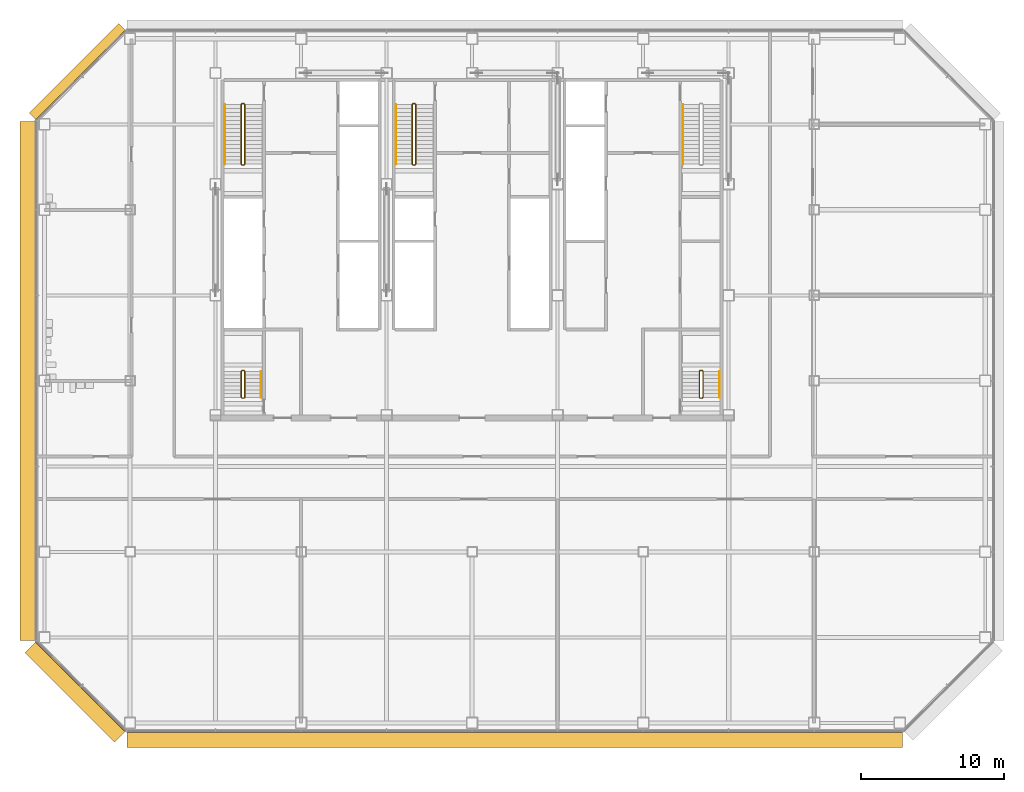
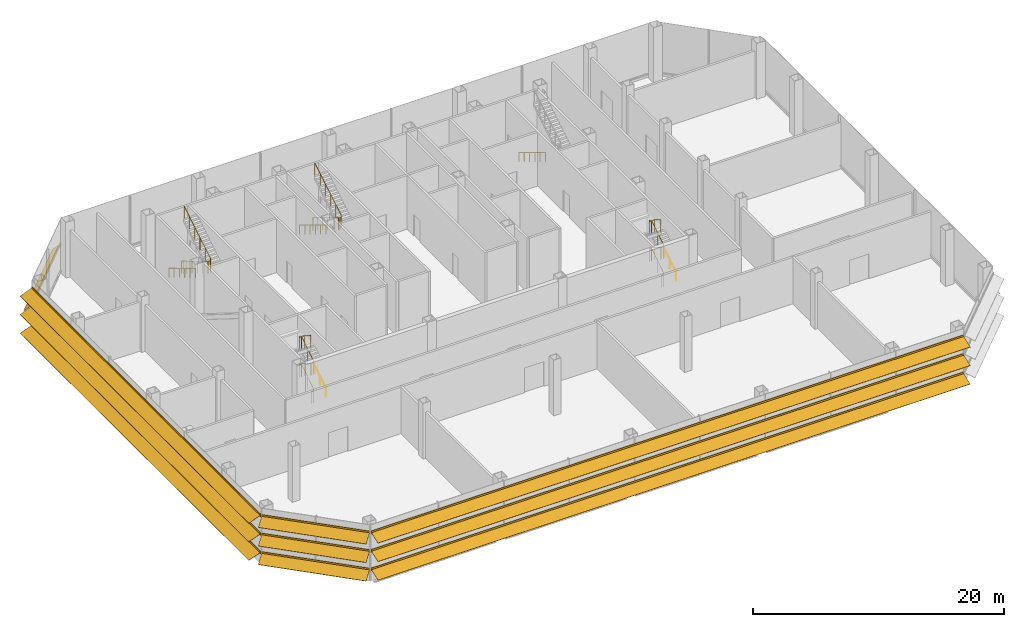
# One storey, part 21 of 23: 11 railings, 4 shading devices.
"""IFC4 building model written with IfcOpenShell, lengths in metres."""

from ifc_helpers import new_model, si_unit, direction, frame, origin, origin_2d, place, context, subcontext, project, spatial, polyline, circle, outline, composite_profile, extrude, material, type_object, element, save


model = new_model("IFC4")

# Units and contexts
model_context = context("Model", 3, precision=1e-05, world=origin(), true_north=direction((0.0, 1.0)))
body_context = subcontext(model_context, "Body", "Model", "MODEL_VIEW")
ifc_project = project(units=[si_unit("LENGTHUNIT", "METRE"), si_unit("AREAUNIT", "SQUARE_METRE"), si_unit("VOLUMEUNIT", "CUBIC_METRE"), si_unit("PLANEANGLEUNIT", "RADIAN"), si_unit("MASSUNIT", "GRAM", prefix="KILO")], contexts=[model_context])

# Site, building, storey
site_placement = place(None, origin())
site = spatial("IfcSite", under=ifc_project, at=site_placement, CompositionType="ELEMENT")
building_placement = place(site_placement, origin())
building = spatial("IfcBuilding", under=site, at=building_placement, Name="Sorahane Residences", CompositionType="ELEMENT")
storey_placement = place(building_placement, frame((0.0, 0.0, 114.199951171875)))
storey = spatial("IfcBuildingStorey", under=building, at=storey_placement, Name="L25", CompositionType="ELEMENT", Elevation=114.199951171875)

# Shading devices
ifc_material_1 = material(Name="Terracotta anodised aluminium", Category="masonry")
shading_device_type_1 = type_object("IfcShadingDeviceType", Name="Louvre sunshade blade NW terracotta aluminium 700", PredefinedType="JALOUSIE", material=ifc_material_1)
shading_device_1_placement = place(storey_placement, frame((-0.283935546875, 48.564697265625, 2.699951171875), z_axis=(-0.707106781187, -0.707106781187, 0.0), x_axis=(0.707106781187, -0.707106781187, 0.0)))
element("IfcShadingDevice", 1, at=shading_device_1_placement, inside=storey, type_object=shading_device_type_1, Name="Louvre sunshade blade bank NW L25 NW1", PredefinedType="JALOUSIE", context=body_context, shape_type="SweptSolid", body=[
    extrude(outline(polyline([(-0.719970703125, -0.660888671875), (-0.719970703125, -0.69091796875), (-0.080078125, -0.072998046875), (-0.080078125, -0.14990234375), (-0.02001953125, -0.14990234375), (-0.02001953125, -0.014892578125), (-0.02001953125, 0.014892578125), (-0.02001953125, 0.14990234375), (-0.080078125, 0.14990234375), (-0.080078125, -0.04296875), (-0.719970703125, -0.660888671875)])), origin(), (0.0, 0.0, 1.0), 8.88232421875),
])
ifc_material_2 = material(Name="Terracotta anodised aluminium", Category="masonry")
shading_device_type_2 = type_object("IfcShadingDeviceType", Name="Louvre sunshade blade S terracotta aluminium 1100", PredefinedType="JALOUSIE", material=ifc_material_2)
shading_device_2_placement = place(storey_placement, frame((-0.198486328125, -0.60009765625, 0.900146484375), z_axis=(1.0, 0.0, 0.0), x_axis=(0.0, 1.0, 0.0)))
element("IfcShadingDevice", 2, at=shading_device_2_placement, inside=storey, type_object=shading_device_type_2, Name="Louvre sunshade blade bank S L25 S1", PredefinedType="JALOUSIE", context=body_context, shape_type="SweptSolid", body=[
    extrude(composite_profile([outline(polyline([(-1.1201171875, -0.385498046875), (-1.1201171875, -0.415283203125), (-0.080078125, -0.036865234375), (-0.080078125, -0.14990234375), (-0.02001953125, -0.14990234375), (-0.02001953125, -0.014892578125), (-0.02001953125, 0.014892578125), (-0.02001953125, 0.14990234375), (-0.080078125, 0.14990234375), (-0.080078125, -0.0068359375), (-1.1201171875, -0.385498046875)])), outline(polyline([(-1.1201171875, 1.41455078125), (-1.1201171875, 1.384521484375), (-0.080078125, 1.76318359375), (-0.080078125, 1.64990234375), (-0.02001953125, 1.64990234375), (-0.02001953125, 1.784912109375), (-0.02001953125, 1.81494140625), (-0.02001953125, 1.949951171875), (-0.080078125, 1.949951171875), (-0.080078125, 1.793212890625), (-1.1201171875, 1.41455078125)])), outline(polyline([(-1.1201171875, 3.214599609375), (-1.1201171875, 3.1845703125), (-0.080078125, 3.563232421875), (-0.080078125, 3.449951171875), (-0.02001953125, 3.449951171875), (-0.02001953125, 3.5849609375), (-0.02001953125, 3.614990234375), (-0.02001953125, 3.75), (-0.080078125, 3.75), (-0.080078125, 3.59326171875), (-1.1201171875, 3.214599609375)]))]), origin(), (0.0, 0.0, 1.0), 54.39697265625),
])
ifc_material_3 = material(Name="Terracotta anodised aluminium", Category="masonry")
shading_device_type_3 = type_object("IfcShadingDeviceType", Name="Louvre sunshade blade SW terracotta aluminium 1100", PredefinedType="JALOUSIE", material=ifc_material_3)
shading_device_3_placement = place(storey_placement, frame((-6.564697265625, 5.716064453125, 0.900146484375), z_axis=(0.707106781187, -0.707106781187, 0.0), x_axis=(0.707106781187, 0.707106781187, 0.0)))
element("IfcShadingDevice", 3, at=shading_device_3_placement, inside=storey, type_object=shading_device_type_3, Name="Louvre sunshade blade bank SW L25 SW1", PredefinedType="JALOUSIE", context=body_context, shape_type="SweptSolid", body=[
    extrude(composite_profile([outline(polyline([(-1.1201171875, -0.385498046875), (-1.1201171875, -0.415283203125), (-0.080078125, -0.036865234375), (-0.080078125, -0.14990234375), (-0.02001953125, -0.14990234375), (-0.02001953125, -0.014892578125), (-0.02001953125, 0.014892578125), (-0.02001953125, 0.14990234375), (-0.080078125, 0.14990234375), (-0.080078125, -0.0068359375), (-1.1201171875, -0.385498046875)])), outline(polyline([(-1.1201171875, 1.41455078125), (-1.1201171875, 1.384521484375), (-0.080078125, 1.76318359375), (-0.080078125, 1.64990234375), (-0.02001953125, 1.64990234375), (-0.02001953125, 1.784912109375), (-0.02001953125, 1.81494140625), (-0.02001953125, 1.949951171875), (-0.080078125, 1.949951171875), (-0.080078125, 1.793212890625), (-1.1201171875, 1.41455078125)])), outline(polyline([(-1.1201171875, 3.214599609375), (-1.1201171875, 3.1845703125), (-0.080078125, 3.563232421875), (-0.080078125, 3.449951171875), (-0.02001953125, 3.449951171875), (-0.02001953125, 3.5849609375), (-0.02001953125, 3.614990234375), (-0.02001953125, 3.75), (-0.080078125, 3.75), (-0.080078125, 3.59326171875), (-1.1201171875, 3.214599609375)]))]), origin(), (0.0, 0.0, 1.0), 8.88232421875),
])
ifc_material_4 = material(Name="Terracotta anodised aluminium", Category="masonry")
shading_device_type_4 = type_object("IfcShadingDeviceType", Name="Louvre sunshade blade W terracotta aluminium 1100", PredefinedType="JALOUSIE", material=ifc_material_4)
shading_device_4_placement = place(storey_placement, frame((-6.60009765625, 42.198486328125, 0.900146484375), z_axis=(0.0, -1.0, 0.0), x_axis=(1.0, 0.0, 0.0)))
element("IfcShadingDevice", 4, at=shading_device_4_placement, inside=storey, type_object=shading_device_type_4, Name="Louvre sunshade blade bank W L25 W1", PredefinedType="JALOUSIE", context=body_context, shape_type="SweptSolid", body=[
    extrude(composite_profile([outline(polyline([(-1.1201171875, -0.385498046875), (-1.1201171875, -0.415283203125), (-0.080078125, -0.036865234375), (-0.080078125, -0.14990234375), (-0.02001953125, -0.14990234375), (-0.02001953125, -0.014892578125), (-0.02001953125, 0.014892578125), (-0.02001953125, 0.14990234375), (-0.080078125, 0.14990234375), (-0.080078125, -0.0068359375), (-1.1201171875, -0.385498046875)])), outline(polyline([(-1.1201171875, 1.41455078125), (-1.1201171875, 1.384521484375), (-0.080078125, 1.76318359375), (-0.080078125, 1.64990234375), (-0.02001953125, 1.64990234375), (-0.02001953125, 1.784912109375), (-0.02001953125, 1.81494140625), (-0.02001953125, 1.949951171875), (-0.080078125, 1.949951171875), (-0.080078125, 1.793212890625), (-1.1201171875, 1.41455078125)])), outline(polyline([(-1.1201171875, 3.214599609375), (-1.1201171875, 3.1845703125), (-0.080078125, 3.563232421875), (-0.080078125, 3.449951171875), (-0.02001953125, 3.449951171875), (-0.02001953125, 3.5849609375), (-0.02001953125, 3.614990234375), (-0.02001953125, 3.75), (-0.080078125, 3.75), (-0.080078125, 3.59326171875), (-1.1201171875, 3.214599609375)]))]), origin(), (0.0, 0.0, 1.0), 36.39697265625),
])

# Railings
ifc_material_5 = material(Name="Steel Q355B", Category="steel")
railing_type_1 = type_object("IfcRailingType", Name="Stair guard 1200 Steel Q355B", PredefinedType="GUARDRAIL", material=ifc_material_5)
railing_1_placement = place(storey_placement, frame((8.0, 43.449951171875, 0.0)))
element("IfcRailing", 5, at=railing_1_placement, inside=storey, type_object=railing_type_1, Name="L25 S1 stair guard 1", PredefinedType="GUARDRAIL", context=body_context, shape_type="SweptSolid", body=[
    extrude(circle(Radius=0.02392578125, at=origin_2d()), frame((0.0, 0.0, 1.17578125), z_axis=(-1.0, 0.0, 0.0), x_axis=(0.0, -1.0, 0.0)), (0.0, 0.0, 1.0), 0.14990234375),
    extrude(circle(Radius=0.02392578125, at=origin_2d()), frame((-0.14990234375, 0.0, 1.17578125), z_axis=(-0.273569069059, -0.273569069059, 0.922127935218), x_axis=(0.707106781187, -0.707106781187, 0.0)), (0.0, 0.0, 1.0), 0.182861328125),
    extrude(circle(Radius=0.02392578125, at=origin_2d()), frame((-0.199951171875, -0.050048828125, 1.3447265625), z_axis=(0.0, -0.856476492594, 0.516186030065), x_axis=(1.0, 0.0, 0.0)), (0.0, 0.0, 1.0), 4.90380859375),
    extrude(circle(Radius=0.02392578125, at=origin_2d()), frame((-0.199951171875, -4.25, 3.8759765625), z_axis=(0.707106781187, -0.707106781187, 0.0), x_axis=(0.707106781187, 0.707106781187, 0.0)), (0.0, 0.0, 1.0), 0.07080078125),
    extrude(circle(Radius=0.02392578125, at=origin_2d()), frame((-0.14990234375, -4.300048828125, 3.8759765625), z_axis=(1.0, 0.0, 0.0), x_axis=(0.0, 1.0, 0.0)), (0.0, 0.0, 1.0), 0.14990234375),
    extrude(circle(Radius=0.02392578125, at=origin_2d()), frame((0.0, -4.300048828125, 3.8759765625), z_axis=(0.273232802156, 0.273232802156, 0.922327312645), x_axis=(-0.707106781187, 0.707106781187, 0.0)), (0.0, 0.0, 1.0), 0.18310546875),
    extrude(circle(Radius=0.02392578125, at=origin_2d()), frame((0.050048828125, -4.25, 4.044921875), z_axis=(0.0, 0.856476492594, 0.516186030065), x_axis=(-1.0, 0.0, 0.0)), (0.0, 0.0, 1.0), 4.90380859375),
    extrude(circle(Radius=0.02099609375, at=origin_2d()), origin(), (0.0, 0.0, 1.0), 1.15185546875),
    extrude(circle(Radius=0.02099609375, at=origin_2d()), frame((-0.14990234375, 0.0, 0.0)), (0.0, 0.0, 1.0), 1.15185546875),
    extrude(circle(Radius=0.02099609375, at=origin_2d()), frame((-0.199951171875, -0.050048828125, 0.168701171875)), (0.0, 0.0, 1.0), 1.15185546875),
    extrude(circle(Radius=0.02099609375, at=origin_2d()), frame((-0.199951171875, -0.89013671875, 0.675048828125)), (0.0, 0.0, 1.0), 1.15185546875),
    extrude(circle(Radius=0.02099609375, at=origin_2d()), frame((-0.199951171875, -1.72998046875, 1.18115234375)), (0.0, 0.0, 1.0), 1.15185546875),
    extrude(circle(Radius=0.02099609375, at=origin_2d()), frame((-0.199951171875, -2.570068359375, 1.6875)), (0.0, 0.0, 1.0), 1.15185546875),
    extrude(circle(Radius=0.02099609375, at=origin_2d()), frame((-0.199951171875, -3.409912109375, 2.193603515625)), (0.0, 0.0, 1.0), 1.15185546875),
    extrude(circle(Radius=0.02099609375, at=origin_2d()), frame((-0.199951171875, -4.25, 2.699951171875)), (0.0, 0.0, 1.0), 1.15185546875),
    extrude(circle(Radius=0.02099609375, at=origin_2d()), frame((-0.14990234375, -4.300048828125, 2.699951171875)), (0.0, 0.0, 1.0), 1.15185546875),
    extrude(circle(Radius=0.02099609375, at=origin_2d()), frame((0.0, -4.300048828125, 2.699951171875)), (0.0, 0.0, 1.0), 1.15185546875),
    extrude(circle(Radius=0.02099609375, at=origin_2d()), frame((0.050048828125, -4.25, 2.868896484375)), (0.0, 0.0, 1.0), 1.15185546875),
    extrude(circle(Radius=0.02099609375, at=origin_2d()), frame((0.050048828125, -3.409912109375, 3.375244140625)), (0.0, 0.0, 1.0), 1.15185546875),
    extrude(circle(Radius=0.02099609375, at=origin_2d()), frame((0.050048828125, -2.570068359375, 3.88134765625)), (0.0, 0.0, 1.0), 1.15185546875),
    extrude(circle(Radius=0.02099609375, at=origin_2d()), frame((0.050048828125, -1.72998046875, 4.3876953125)), (0.0, 0.0, 1.0), 1.15185546875),
    extrude(circle(Radius=0.02099609375, at=origin_2d()), frame((0.050048828125, -0.89013671875, 4.893798828125)), (0.0, 0.0, 1.0), 1.15185546875),
    extrude(circle(Radius=0.02099609375, at=origin_2d()), frame((0.050048828125, -0.050048828125, 5.400146484375)), (0.0, 0.0, 1.0), 1.15185546875),
])
railing_2_placement = place(storey_placement, frame((20.0, 43.449951171875, 0.0)))
element("IfcRailing", 6, at=railing_2_placement, inside=storey, type_object=railing_type_1, Name="L25 S3 stair guard 1", PredefinedType="GUARDRAIL", context=body_context, shape_type="SweptSolid", body=[
    extrude(circle(Radius=0.02392578125, at=origin_2d()), frame((0.0, 0.0, 1.17578125), z_axis=(-1.0, 0.0, 0.0), x_axis=(0.0, -1.0, 0.0)), (0.0, 0.0, 1.0), 0.14990234375),
    extrude(circle(Radius=0.02392578125, at=origin_2d()), frame((-0.14990234375, 0.0, 1.17578125), z_axis=(-0.273569069059, -0.273569069059, 0.922127935218), x_axis=(0.707106781187, -0.707106781187, 0.0)), (0.0, 0.0, 1.0), 0.182861328125),
    extrude(circle(Radius=0.02392578125, at=origin_2d()), frame((-0.199951171875, -0.050048828125, 1.3447265625), z_axis=(0.0, -0.856476492594, 0.516186030065), x_axis=(1.0, 0.0, 0.0)), (0.0, 0.0, 1.0), 4.90380859375),
    extrude(circle(Radius=0.02392578125, at=origin_2d()), frame((-0.199951171875, -4.25, 3.8759765625), z_axis=(0.707106781187, -0.707106781187, 0.0), x_axis=(0.707106781187, 0.707106781187, 0.0)), (0.0, 0.0, 1.0), 0.07080078125),
    extrude(circle(Radius=0.02392578125, at=origin_2d()), frame((-0.14990234375, -4.300048828125, 3.8759765625), z_axis=(1.0, 0.0, 0.0), x_axis=(0.0, 1.0, 0.0)), (0.0, 0.0, 1.0), 0.14990234375),
    extrude(circle(Radius=0.02392578125, at=origin_2d()), frame((0.0, -4.300048828125, 3.8759765625), z_axis=(0.273232802156, 0.273232802156, 0.922327312645), x_axis=(-0.707106781187, 0.707106781187, 0.0)), (0.0, 0.0, 1.0), 0.18310546875),
    extrude(circle(Radius=0.02392578125, at=origin_2d()), frame((0.050048828125, -4.25, 4.044921875), z_axis=(0.0, 0.856476492594, 0.516186030065), x_axis=(-1.0, 0.0, 0.0)), (0.0, 0.0, 1.0), 4.90380859375),
    extrude(circle(Radius=0.02099609375, at=origin_2d()), origin(), (0.0, 0.0, 1.0), 1.15185546875),
    extrude(circle(Radius=0.02099609375, at=origin_2d()), frame((-0.14990234375, 0.0, 0.0)), (0.0, 0.0, 1.0), 1.15185546875),
    extrude(circle(Radius=0.02099609375, at=origin_2d()), frame((-0.199951171875, -0.050048828125, 0.168701171875)), (0.0, 0.0, 1.0), 1.15185546875),
    extrude(circle(Radius=0.02099609375, at=origin_2d()), frame((-0.199951171875, -0.89013671875, 0.675048828125)), (0.0, 0.0, 1.0), 1.15185546875),
    extrude(circle(Radius=0.02099609375, at=origin_2d()), frame((-0.199951171875, -1.72998046875, 1.18115234375)), (0.0, 0.0, 1.0), 1.15185546875),
    extrude(circle(Radius=0.02099609375, at=origin_2d()), frame((-0.199951171875, -2.570068359375, 1.6875)), (0.0, 0.0, 1.0), 1.15185546875),
    extrude(circle(Radius=0.02099609375, at=origin_2d()), frame((-0.199951171875, -3.409912109375, 2.193603515625)), (0.0, 0.0, 1.0), 1.15185546875),
    extrude(circle(Radius=0.02099609375, at=origin_2d()), frame((-0.199951171875, -4.25, 2.699951171875)), (0.0, 0.0, 1.0), 1.15185546875),
    extrude(circle(Radius=0.02099609375, at=origin_2d()), frame((-0.14990234375, -4.300048828125, 2.699951171875)), (0.0, 0.0, 1.0), 1.15185546875),
    extrude(circle(Radius=0.02099609375, at=origin_2d()), frame((0.0, -4.300048828125, 2.699951171875)), (0.0, 0.0, 1.0), 1.15185546875),
    extrude(circle(Radius=0.02099609375, at=origin_2d()), frame((0.050048828125, -4.25, 2.868896484375)), (0.0, 0.0, 1.0), 1.15185546875),
    extrude(circle(Radius=0.02099609375, at=origin_2d()), frame((0.050048828125, -3.409912109375, 3.375244140625)), (0.0, 0.0, 1.0), 1.15185546875),
    extrude(circle(Radius=0.02099609375, at=origin_2d()), frame((0.050048828125, -2.570068359375, 3.88134765625)), (0.0, 0.0, 1.0), 1.15185546875),
    extrude(circle(Radius=0.02099609375, at=origin_2d()), frame((0.050048828125, -1.72998046875, 4.3876953125)), (0.0, 0.0, 1.0), 1.15185546875),
    extrude(circle(Radius=0.02099609375, at=origin_2d()), frame((0.050048828125, -0.89013671875, 4.893798828125)), (0.0, 0.0, 1.0), 1.15185546875),
    extrude(circle(Radius=0.02099609375, at=origin_2d()), frame((0.050048828125, -0.050048828125, 5.400146484375)), (0.0, 0.0, 1.0), 1.15185546875),
])
railing_3_placement = place(storey_placement, frame((7.85009765625, 22.800048828125, 0.0)))
element("IfcRailing", 7, at=railing_3_placement, inside=storey, type_object=railing_type_1, Name="L25 S4 stair guard 1", PredefinedType="GUARDRAIL", context=body_context, shape_type="SweptSolid", body=[
    extrude(circle(Radius=0.02392578125, at=origin_2d()), frame((0.0, 0.0, 1.17578125), z_axis=(1.0, 0.0, 0.0), x_axis=(0.0, 1.0, 0.0)), (0.0, 0.0, 1.0), 0.14990234375),
    extrude(circle(Radius=0.02392578125, at=origin_2d()), frame((0.14990234375, 0.0, 1.17578125), z_axis=(0.273569069059, 0.273569069059, 0.922127935218), x_axis=(-0.707106781187, 0.707106781187, 0.0)), (0.0, 0.0, 1.0), 0.182861328125),
    extrude(circle(Radius=0.02392578125, at=origin_2d()), frame((0.199951171875, 0.050048828125, 1.3447265625), z_axis=(0.0, 0.838757122003, 0.544505730262), x_axis=(-1.0, 0.0, 0.0)), (0.0, 0.0, 1.0), 2.169677734375),
    extrude(circle(Radius=0.02392578125, at=origin_2d()), frame((0.199951171875, 1.869873046875, 2.52587890625), z_axis=(-0.707106781187, 0.707106781187, 0.0), x_axis=(-0.707106781187, -0.707106781187, 0.0)), (0.0, 0.0, 1.0), 0.07080078125),
    extrude(circle(Radius=0.02392578125, at=origin_2d()), frame((0.14990234375, 1.919921875, 2.52587890625), z_axis=(-1.0, 0.0, 0.0), x_axis=(0.0, -1.0, 0.0)), (0.0, 0.0, 1.0), 0.14990234375),
    extrude(circle(Radius=0.02392578125, at=origin_2d()), frame((0.0, 1.919921875, 2.52587890625), z_axis=(-0.273569069059, -0.273569069059, 0.922127935218), x_axis=(0.707106781187, -0.707106781187, 0.0)), (0.0, 0.0, 1.0), 0.182861328125),
    extrude(circle(Radius=0.02392578125, at=origin_2d()), frame((-0.050048828125, 1.869873046875, 2.69482421875), z_axis=(0.0, -0.838808512231, 0.544426560528), x_axis=(1.0, 0.0, 0.0)), (0.0, 0.0, 1.0), 2.16943359375),
    extrude(circle(Radius=0.02099609375, at=origin_2d()), origin(), (0.0, 0.0, 1.0), 1.15185546875),
    extrude(circle(Radius=0.02099609375, at=origin_2d()), frame((0.14990234375, 0.0, 0.0)), (0.0, 0.0, 1.0), 1.15185546875),
    extrude(circle(Radius=0.02099609375, at=origin_2d()), frame((0.199951171875, 0.050048828125, 0.168701171875)), (0.0, 0.0, 1.0), 1.15185546875),
    extrude(circle(Radius=0.02099609375, at=origin_2d()), frame((0.199951171875, 0.9599609375, 0.75927734375)), (0.0, 0.0, 1.0), 1.15185546875),
    extrude(circle(Radius=0.02099609375, at=origin_2d()), frame((0.199951171875, 1.869873046875, 1.35009765625)), (0.0, 0.0, 1.0), 1.15185546875),
    extrude(circle(Radius=0.02099609375, at=origin_2d()), frame((0.14990234375, 1.919921875, 1.35009765625)), (0.0, 0.0, 1.0), 1.15185546875),
    extrude(circle(Radius=0.02099609375, at=origin_2d()), frame((0.0, 1.919921875, 1.35009765625)), (0.0, 0.0, 1.0), 1.15185546875),
    extrude(circle(Radius=0.02099609375, at=origin_2d()), frame((-0.050048828125, 1.869873046875, 1.518798828125)), (0.0, 0.0, 1.0), 1.15185546875),
    extrude(circle(Radius=0.02099609375, at=origin_2d()), frame((-0.050048828125, 0.9599609375, 2.109375)), (0.0, 0.0, 1.0), 1.15185546875),
    extrude(circle(Radius=0.02099609375, at=origin_2d()), frame((-0.050048828125, 0.050048828125, 2.699951171875)), (0.0, 0.0, 1.0), 1.15185546875),
])
railing_4_placement = place(storey_placement, frame((7.85009765625, 22.800048828125, 2.699951171875)))
element("IfcRailing", 8, at=railing_4_placement, inside=storey, type_object=railing_type_1, Name="L25 S4 stair guard 2", PredefinedType="GUARDRAIL", context=body_context, shape_type="SweptSolid", body=[
    extrude(circle(Radius=0.02392578125, at=origin_2d()), frame((0.0, 0.0, 1.17578125), z_axis=(1.0, 0.0, 0.0), x_axis=(0.0, 1.0, 0.0)), (0.0, 0.0, 1.0), 0.14990234375),
    extrude(circle(Radius=0.02392578125, at=origin_2d()), frame((0.14990234375, 0.0, 1.17578125), z_axis=(0.273232802156, 0.273232802156, 0.922327312645), x_axis=(-0.707106781187, 0.707106781187, 0.0)), (0.0, 0.0, 1.0), 0.18310546875),
    extrude(circle(Radius=0.02392578125, at=origin_2d()), frame((0.199951171875, 0.050048828125, 1.3447265625), z_axis=(0.0, 0.838808512231, 0.544426560528), x_axis=(-1.0, 0.0, 0.0)), (0.0, 0.0, 1.0), 2.16943359375),
    extrude(circle(Radius=0.02392578125, at=origin_2d()), frame((0.199951171875, 1.869873046875, 2.52587890625), z_axis=(-0.707106781187, 0.707106781187, 0.0), x_axis=(-0.707106781187, -0.707106781187, 0.0)), (0.0, 0.0, 1.0), 0.07080078125),
    extrude(circle(Radius=0.02392578125, at=origin_2d()), frame((0.14990234375, 1.919921875, 2.52587890625), z_axis=(-1.0, 0.0, 0.0), x_axis=(0.0, -1.0, 0.0)), (0.0, 0.0, 1.0), 0.14990234375),
    extrude(circle(Radius=0.02392578125, at=origin_2d()), frame((0.0, 1.919921875, 2.52587890625), z_axis=(-0.273569069059, -0.273569069059, 0.922127935218), x_axis=(0.707106781187, -0.707106781187, 0.0)), (0.0, 0.0, 1.0), 0.182861328125),
    extrude(circle(Radius=0.02392578125, at=origin_2d()), frame((-0.050048828125, 1.869873046875, 2.69482421875), z_axis=(0.0, -0.838757122003, 0.544505730262), x_axis=(1.0, 0.0, 0.0)), (0.0, 0.0, 1.0), 2.169677734375),
    extrude(circle(Radius=0.02099609375, at=origin_2d()), origin(), (0.0, 0.0, 1.0), 1.15185546875),
    extrude(circle(Radius=0.02099609375, at=origin_2d()), frame((0.14990234375, 0.0, 0.0)), (0.0, 0.0, 1.0), 1.15185546875),
    extrude(circle(Radius=0.02099609375, at=origin_2d()), frame((0.199951171875, 0.050048828125, 0.1689453125)), (0.0, 0.0, 1.0), 1.15185546875),
    extrude(circle(Radius=0.02099609375, at=origin_2d()), frame((0.199951171875, 0.9599609375, 0.759521484375)), (0.0, 0.0, 1.0), 1.15185546875),
    extrude(circle(Radius=0.02099609375, at=origin_2d()), frame((0.199951171875, 1.869873046875, 1.35009765625)), (0.0, 0.0, 1.0), 1.15185546875),
    extrude(circle(Radius=0.02099609375, at=origin_2d()), frame((0.14990234375, 1.919921875, 1.35009765625)), (0.0, 0.0, 1.0), 1.15185546875),
    extrude(circle(Radius=0.02099609375, at=origin_2d()), frame((0.0, 1.919921875, 1.35009765625)), (0.0, 0.0, 1.0), 1.15185546875),
    extrude(circle(Radius=0.02099609375, at=origin_2d()), frame((-0.050048828125, 1.869873046875, 1.518798828125)), (0.0, 0.0, 1.0), 1.15185546875),
    extrude(circle(Radius=0.02099609375, at=origin_2d()), frame((-0.050048828125, 0.9599609375, 2.109375)), (0.0, 0.0, 1.0), 1.15185546875),
    extrude(circle(Radius=0.02099609375, at=origin_2d()), frame((-0.050048828125, 0.050048828125, 2.7001953125)), (0.0, 0.0, 1.0), 1.15185546875),
])
railing_5_placement = place(storey_placement, frame((40.0, 22.800048828125, 0.0)))
element("IfcRailing", 9, at=railing_5_placement, inside=storey, type_object=railing_type_1, Name="L25 S5 stair guard 1", PredefinedType="GUARDRAIL", context=body_context, shape_type="SweptSolid", body=[
    extrude(circle(Radius=0.02392578125, at=origin_2d()), frame((0.0, 0.0, 1.17578125), z_axis=(1.0, 0.0, 0.0), x_axis=(0.0, 1.0, 0.0)), (0.0, 0.0, 1.0), 0.14990234375),
    extrude(circle(Radius=0.02392578125, at=origin_2d()), frame((0.14990234375, 0.0, 1.17578125), z_axis=(0.273569069059, 0.273569069059, 0.922127935218), x_axis=(-0.707106781187, 0.707106781187, 0.0)), (0.0, 0.0, 1.0), 0.182861328125),
    extrude(circle(Radius=0.02392578125, at=origin_2d()), frame((0.199951171875, 0.050048828125, 1.3447265625), z_axis=(0.0, 0.838757122003, 0.544505730262), x_axis=(-1.0, 0.0, 0.0)), (0.0, 0.0, 1.0), 2.169677734375),
    extrude(circle(Radius=0.02392578125, at=origin_2d()), frame((0.199951171875, 1.869873046875, 2.52587890625), z_axis=(-0.707106781187, 0.707106781187, 0.0), x_axis=(-0.707106781187, -0.707106781187, 0.0)), (0.0, 0.0, 1.0), 0.07080078125),
    extrude(circle(Radius=0.02392578125, at=origin_2d()), frame((0.14990234375, 1.919921875, 2.52587890625), z_axis=(-1.0, 0.0, 0.0), x_axis=(0.0, -1.0, 0.0)), (0.0, 0.0, 1.0), 0.14990234375),
    extrude(circle(Radius=0.02392578125, at=origin_2d()), frame((0.0, 1.919921875, 2.52587890625), z_axis=(-0.273569069059, -0.273569069059, 0.922127935218), x_axis=(0.707106781187, -0.707106781187, 0.0)), (0.0, 0.0, 1.0), 0.182861328125),
    extrude(circle(Radius=0.02392578125, at=origin_2d()), frame((-0.050048828125, 1.869873046875, 2.69482421875), z_axis=(0.0, -0.838808512231, 0.544426560528), x_axis=(1.0, 0.0, 0.0)), (0.0, 0.0, 1.0), 2.16943359375),
    extrude(circle(Radius=0.02099609375, at=origin_2d()), origin(), (0.0, 0.0, 1.0), 1.15185546875),
    extrude(circle(Radius=0.02099609375, at=origin_2d()), frame((0.14990234375, 0.0, 0.0)), (0.0, 0.0, 1.0), 1.15185546875),
    extrude(circle(Radius=0.02099609375, at=origin_2d()), frame((0.199951171875, 0.050048828125, 0.168701171875)), (0.0, 0.0, 1.0), 1.15185546875),
    extrude(circle(Radius=0.02099609375, at=origin_2d()), frame((0.199951171875, 0.9599609375, 0.75927734375)), (0.0, 0.0, 1.0), 1.15185546875),
    extrude(circle(Radius=0.02099609375, at=origin_2d()), frame((0.199951171875, 1.869873046875, 1.35009765625)), (0.0, 0.0, 1.0), 1.15185546875),
    extrude(circle(Radius=0.02099609375, at=origin_2d()), frame((0.14990234375, 1.919921875, 1.35009765625)), (0.0, 0.0, 1.0), 1.15185546875),
    extrude(circle(Radius=0.02099609375, at=origin_2d()), frame((0.0, 1.919921875, 1.35009765625)), (0.0, 0.0, 1.0), 1.15185546875),
    extrude(circle(Radius=0.02099609375, at=origin_2d()), frame((-0.050048828125, 1.869873046875, 1.518798828125)), (0.0, 0.0, 1.0), 1.15185546875),
    extrude(circle(Radius=0.02099609375, at=origin_2d()), frame((-0.050048828125, 0.9599609375, 2.109375)), (0.0, 0.0, 1.0), 1.15185546875),
    extrude(circle(Radius=0.02099609375, at=origin_2d()), frame((-0.050048828125, 0.050048828125, 2.699951171875)), (0.0, 0.0, 1.0), 1.15185546875),
])
railing_6_placement = place(storey_placement, frame((40.0, 22.800048828125, 2.699951171875)))
element("IfcRailing", 10, at=railing_6_placement, inside=storey, type_object=railing_type_1, Name="L25 S5 stair guard 2", PredefinedType="GUARDRAIL", context=body_context, shape_type="SweptSolid", body=[
    extrude(circle(Radius=0.02392578125, at=origin_2d()), frame((0.0, 0.0, 1.17578125), z_axis=(1.0, 0.0, 0.0), x_axis=(0.0, 1.0, 0.0)), (0.0, 0.0, 1.0), 0.14990234375),
    extrude(circle(Radius=0.02392578125, at=origin_2d()), frame((0.14990234375, 0.0, 1.17578125), z_axis=(0.273232802156, 0.273232802156, 0.922327312645), x_axis=(-0.707106781187, 0.707106781187, 0.0)), (0.0, 0.0, 1.0), 0.18310546875),
    extrude(circle(Radius=0.02392578125, at=origin_2d()), frame((0.199951171875, 0.050048828125, 1.3447265625), z_axis=(0.0, 0.838808512231, 0.544426560528), x_axis=(-1.0, 0.0, 0.0)), (0.0, 0.0, 1.0), 2.16943359375),
    extrude(circle(Radius=0.02392578125, at=origin_2d()), frame((0.199951171875, 1.869873046875, 2.52587890625), z_axis=(-0.707106781187, 0.707106781187, 0.0), x_axis=(-0.707106781187, -0.707106781187, 0.0)), (0.0, 0.0, 1.0), 0.07080078125),
    extrude(circle(Radius=0.02392578125, at=origin_2d()), frame((0.14990234375, 1.919921875, 2.52587890625), z_axis=(-1.0, 0.0, 0.0), x_axis=(0.0, -1.0, 0.0)), (0.0, 0.0, 1.0), 0.14990234375),
    extrude(circle(Radius=0.02392578125, at=origin_2d()), frame((0.0, 1.919921875, 2.52587890625), z_axis=(-0.273569069059, -0.273569069059, 0.922127935218), x_axis=(0.707106781187, -0.707106781187, 0.0)), (0.0, 0.0, 1.0), 0.182861328125),
    extrude(circle(Radius=0.02392578125, at=origin_2d()), frame((-0.050048828125, 1.869873046875, 2.69482421875), z_axis=(0.0, -0.838757122003, 0.544505730262), x_axis=(1.0, 0.0, 0.0)), (0.0, 0.0, 1.0), 2.169677734375),
    extrude(circle(Radius=0.02099609375, at=origin_2d()), origin(), (0.0, 0.0, 1.0), 1.15185546875),
    extrude(circle(Radius=0.02099609375, at=origin_2d()), frame((0.14990234375, 0.0, 0.0)), (0.0, 0.0, 1.0), 1.15185546875),
    extrude(circle(Radius=0.02099609375, at=origin_2d()), frame((0.199951171875, 0.050048828125, 0.1689453125)), (0.0, 0.0, 1.0), 1.15185546875),
    extrude(circle(Radius=0.02099609375, at=origin_2d()), frame((0.199951171875, 0.9599609375, 0.759521484375)), (0.0, 0.0, 1.0), 1.15185546875),
    extrude(circle(Radius=0.02099609375, at=origin_2d()), frame((0.199951171875, 1.869873046875, 1.35009765625)), (0.0, 0.0, 1.0), 1.15185546875),
    extrude(circle(Radius=0.02099609375, at=origin_2d()), frame((0.14990234375, 1.919921875, 1.35009765625)), (0.0, 0.0, 1.0), 1.15185546875),
    extrude(circle(Radius=0.02099609375, at=origin_2d()), frame((0.0, 1.919921875, 1.35009765625)), (0.0, 0.0, 1.0), 1.15185546875),
    extrude(circle(Radius=0.02099609375, at=origin_2d()), frame((-0.050048828125, 1.869873046875, 1.518798828125)), (0.0, 0.0, 1.0), 1.15185546875),
    extrude(circle(Radius=0.02099609375, at=origin_2d()), frame((-0.050048828125, 0.9599609375, 2.109375)), (0.0, 0.0, 1.0), 1.15185546875),
    extrude(circle(Radius=0.02099609375, at=origin_2d()), frame((-0.050048828125, 0.050048828125, 2.7001953125)), (0.0, 0.0, 1.0), 1.15185546875),
])
ifc_material_6 = material(Name="Steel Q355B", Category="steel")
railing_type_2 = type_object("IfcRailingType", Name="Stair handrail 900 Steel Q355B", PredefinedType="HANDRAIL", material=ifc_material_6)
for number, where, name in (
    (11, (6.64990234375, 43.39990234375, 0.168701171875), "L25 S1 stair handrail 1"),
    (12, (38.800048828125, 43.39990234375, 0.168701171875), "L25 S2 stair handrail 1"),
    (13, (18.64990234375, 43.39990234375, 0.168701171875), "L25 S3 stair handrail 1"),
):
    element("IfcRailing", number, at=place(storey_placement, frame(where)), inside=storey, type_object=railing_type_2, Name=name, PredefinedType="HANDRAIL", context=body_context, shape_type="SweptSolid", body=[
        extrude(circle(Radius=0.02392578125, at=origin_2d()), frame((0.0, 0.0, 0.8759765625), z_axis=(0.0, -0.856476492594, 0.516186030065), x_axis=(1.0, 0.0, 0.0)), (0.0, 0.0, 1.0), 4.90380859375),
        extrude(circle(Radius=0.02099609375, at=origin_2d()), origin(), (0.0, 0.0, 1.0), 0.851806640625),
        extrude(circle(Radius=0.02099609375, at=origin_2d()), frame((0.0, -0.840087890625, 0.50634765625)), (0.0, 0.0, 1.0), 0.851806640625),
        extrude(circle(Radius=0.02099609375, at=origin_2d()), frame((0.0, -1.679931640625, 1.012451171875)), (0.0, 0.0, 1.0), 0.851806640625),
        extrude(circle(Radius=0.02099609375, at=origin_2d()), frame((0.0, -2.52001953125, 1.518798828125)), (0.0, 0.0, 1.0), 0.851806640625),
        extrude(circle(Radius=0.02099609375, at=origin_2d()), frame((0.0, -3.35986328125, 2.02490234375)), (0.0, 0.0, 1.0), 0.851806640625),
        extrude(circle(Radius=0.02099609375, at=origin_2d()), frame((0.0, -4.199951171875, 2.53125)), (0.0, 0.0, 1.0), 0.851806640625),
    ])
for number, where, name in (
    (14, (9.199951171875, 22.85009765625, 0.168701171875), "L25 S4 stair handrail 1"),
    (15, (41.35009765625, 22.85009765625, 0.168701171875), "L25 S5 stair handrail 1"),
):
    element("IfcRailing", number, at=place(storey_placement, frame(where)), inside=storey, type_object=railing_type_2, Name=name, PredefinedType="HANDRAIL", context=body_context, shape_type="SweptSolid", body=[
        extrude(circle(Radius=0.02392578125, at=origin_2d()), frame((0.0, 0.0, 0.8759765625), z_axis=(0.0, 0.838757122003, 0.544505730262), x_axis=(-1.0, 0.0, 0.0)), (0.0, 0.0, 1.0), 2.169677734375),
        extrude(circle(Radius=0.02099609375, at=origin_2d()), origin(), (0.0, 0.0, 1.0), 0.851806640625),
        extrude(circle(Radius=0.02099609375, at=origin_2d()), frame((0.0, 0.909912109375, 0.5908203125)), (0.0, 0.0, 1.0), 0.851806640625),
        extrude(circle(Radius=0.02099609375, at=origin_2d()), frame((0.0, 1.81982421875, 1.181396484375)), (0.0, 0.0, 1.0), 0.851806640625),
    ])

save(model, "model.ifc")
